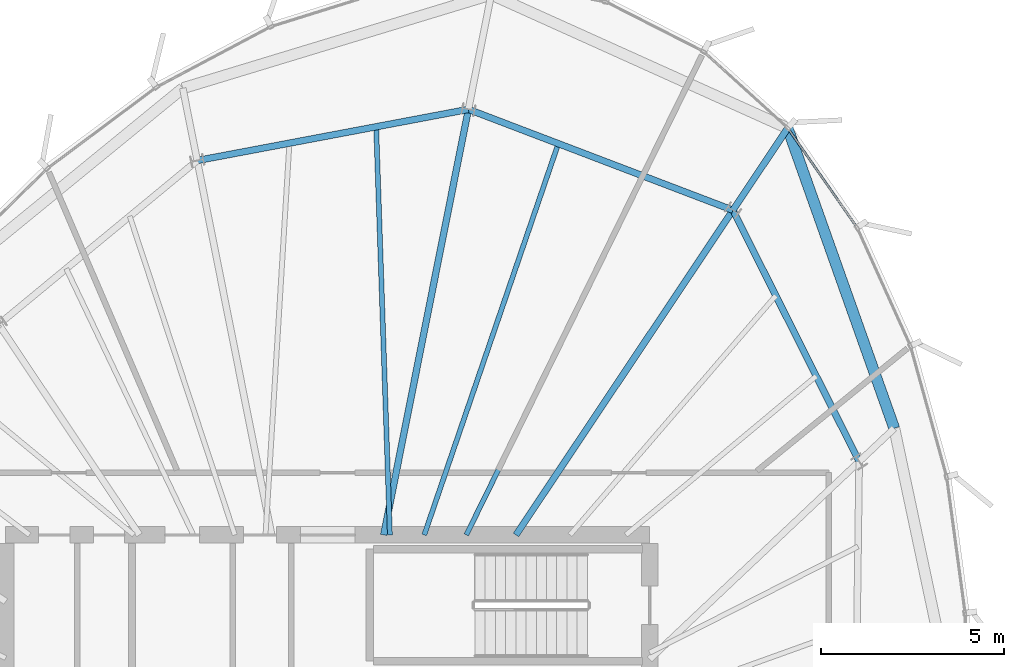
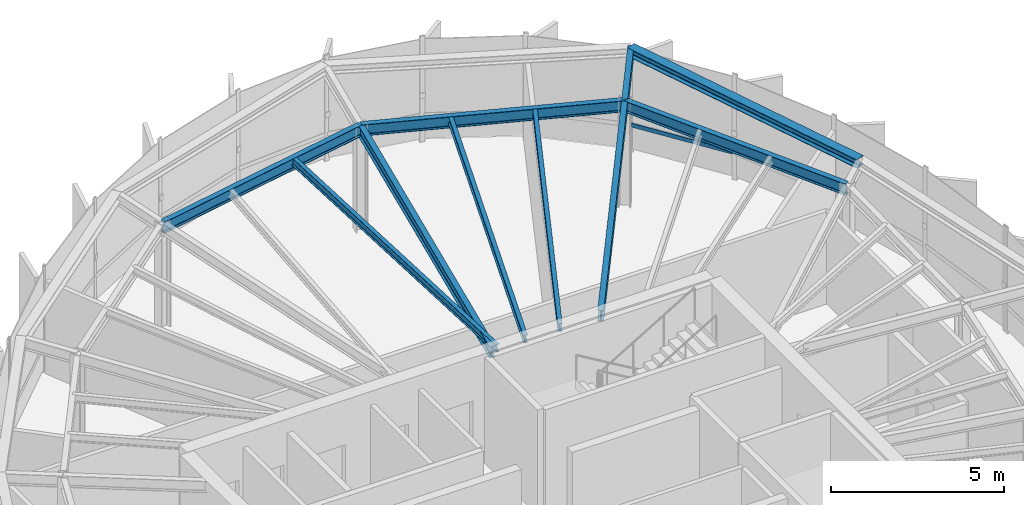
# One storey, part 16 of 26: 10 beams, 1 member, 1 element without a shape of its own.
"""IFC4 building model written with IfcOpenShell, lengths in metres."""

from ifc_helpers import new_model, si_unit, direction, frame, origin, origin_2d, place, context, subcontext, project, spatial, hollow_rectangle, i_section, extrude, source, transform, mapped, material, layer, layer_set, material_profile, profile_set, type_object, element, aggregate, save


model = new_model("IFC4")

# Units and contexts
model_context = context("Model", 3, precision=1e-05, world=origin(), true_north=direction((0.0, 1.0)))
body_context = subcontext(model_context, "Body", "Model", "MODEL_VIEW")
ifc_project = project(units=[si_unit("LENGTHUNIT", "METRE"), si_unit("AREAUNIT", "SQUARE_METRE"), si_unit("VOLUMEUNIT", "CUBIC_METRE"), si_unit("PLANEANGLEUNIT", "RADIAN"), si_unit("MASSUNIT", "GRAM", prefix="KILO"), si_unit("THERMODYNAMICTEMPERATUREUNIT", "KELVIN")], contexts=[model_context])

# Site, building, storey
site_placement = place(None, origin())
site = spatial("IfcSite", under=ifc_project, at=site_placement, CompositionType="ELEMENT")
building_placement = place(site_placement, origin())
building = spatial("IfcBuilding", under=site, at=building_placement, Name="Kethvar Cultural Tower", CompositionType="ELEMENT")
storey_placement = place(building_placement, frame((0.0, 0.0, 320.300048828125)))
storey = spatial("IfcBuildingStorey", under=building, at=storey_placement, Name="L85", CompositionType="ELEMENT", Elevation=320.300048828125)

# Beams
ifc_material_1 = material(Name="Steel S355J2", Category="steel")
ifc_material_profile_1 = material_profile(ifc_material_1, i_section(OverallWidth=0.135009765625, OverallDepth=0.27001953125, WebThickness=0.006591796875, FlangeThickness=0.01025390625, FilletRadius=0.014892578125, at=origin_2d()), Name="Steel S355J2 — IPE270")
ifc_profile_set_1 = profile_set([ifc_material_profile_1], Name="Steel S355J2 — IPE270")
beam_type_1 = type_object("IfcBeamType", Name="BM-J270", PredefinedType="JOIST", material=ifc_profile_set_1)
shared_shape_1 = source(origin(), body_context, "Body", "SweptSolid", [
    extrude(i_section(OverallWidth=0.135009765625, OverallDepth=0.27001953125, WebThickness=0.006591796875, FlangeThickness=0.01025390625, FilletRadius=0.014892578125, at=origin_2d()), origin(), (0.0, 0.0, 1.0), 10.935791015625),
])
beam_1_placement = place(storey_placement, frame((50.5888671875, 35.5, 3.597900390625), z_axis=(0.441498236677, 0.897262117227, 0.0), x_axis=(-0.897262117227, 0.441498236677, 0.0)))
element("IfcBeam", 1, at=beam_1_placement, inside=storey, type_object=beam_type_1, Name="L85 Composite Floor Joist J-03A", PredefinedType="JOIST", context=body_context, shape_type="MappedRepresentation", body=[
    mapped(shared_shape_1, transform((0.0, 0.0, 0.0), scale=1.0)),
])
shared_shape_2 = source(origin(), body_context, "Body", "SweptSolid", [
    extrude(i_section(OverallWidth=0.135009765625, OverallDepth=0.27001953125, WebThickness=0.006591796875, FlangeThickness=0.01025390625, FilletRadius=0.014892578125, at=origin_2d()), origin(), (0.0, 0.0, 1.0), 11.304931640625),
])
beam_2_placement = place(storey_placement, frame((49.438720703125, 35.5, 3.597900390625), z_axis=(0.324179110764, 0.945995720997, 0.0), x_axis=(-0.945995720997, 0.324179110764, 0.0)))
element("IfcBeam", 2, at=beam_2_placement, inside=storey, type_object=beam_type_1, Name="L85 Composite Floor Joist J-03B", PredefinedType="JOIST", context=body_context, shape_type="MappedRepresentation", body=[
    mapped(shared_shape_2, transform((0.0, 0.0, 0.0), scale=1.0)),
])
shared_shape_3 = source(origin(), body_context, "Body", "SweptSolid", [
    extrude(i_section(OverallWidth=0.135009765625, OverallDepth=0.27001953125, WebThickness=0.006591796875, FlangeThickness=0.01025390625, FilletRadius=0.014892578125, at=origin_2d()), origin(), (0.0, 0.0, 1.0), 11.162109375),
])
beam_3_placement = place(storey_placement, frame((48.5, 35.5, 3.597900390625), z_axis=(-0.0335959409, 0.999435497046, 0.0), x_axis=(-0.999435497046, -0.0335959409, 0.0)))
element("IfcBeam", 3, at=beam_3_placement, inside=storey, type_object=beam_type_1, Name="L85 Composite Floor Joist J-04A", PredefinedType="JOIST", context=body_context, shape_type="MappedRepresentation", body=[
    mapped(shared_shape_3, transform((0.0, 0.0, 0.0), scale=1.0)),
])
ifc_material_profile_2 = material_profile(ifc_material_1, i_section(OverallWidth=0.179931640625, OverallDepth=0.39990234375, WebThickness=0.008544921875, FlangeThickness=0.013427734375, FilletRadius=0.02099609375, at=origin_2d()), Name="Steel S355J2 — IPE400")
ifc_profile_set_2 = profile_set([ifc_material_profile_2], Name="Steel S355J2 — IPE400")
beam_type_2 = type_object("IfcBeamType", Name="BM-IPE400", PredefinedType="BEAM", material=ifc_profile_set_2)
shared_shape_4 = source(origin(), body_context, "Body", "SweptSolid", [
    extrude(i_section(OverallWidth=0.179931640625, OverallDepth=0.39990234375, WebThickness=0.008544921875, FlangeThickness=0.013427734375, FilletRadius=0.02099609375, at=origin_2d()), origin(), (0.0, 0.0, 1.0), 10.673828125),
])
beam_4_placement = place(storey_placement, frame((51.945068359375, 35.5, 3.532958984375), z_axis=(0.555576086183, 0.831465701314, 0.0), x_axis=(-0.831465701314, 0.555576086183, 0.0)))
element("IfcBeam", 4, at=beam_4_placement, inside=storey, type_object=beam_type_2, Name="L85 Primary Radial Beam RB-03", PredefinedType="BEAM", context=body_context, shape_type="MappedRepresentation", body=[
    mapped(shared_shape_4, transform((0.0, 0.0, 0.0), scale=1.0)),
])
shared_shape_5 = source(origin(), body_context, "Body", "SweptSolid", [
    extrude(i_section(OverallWidth=0.179931640625, OverallDepth=0.39990234375, WebThickness=0.008544921875, FlangeThickness=0.013427734375, FilletRadius=0.02099609375, at=origin_2d()), origin(), (0.0, 0.0, 1.0), 11.859375),
])
beam_5_placement = place(storey_placement, frame((48.33154296875, 35.5, 3.532958984375), z_axis=(0.195094640585, 0.980784421377, 0.0), x_axis=(-0.980784421377, 0.195094640585, 0.0)))
element("IfcBeam", 5, at=beam_5_placement, inside=storey, type_object=beam_type_2, Name="L85 Primary Radial Beam RB-04", PredefinedType="BEAM", context=body_context, shape_type="MappedRepresentation", body=[
    mapped(shared_shape_5, transform((0.0, 0.0, 0.0), scale=1.0)),
])
shared_shape_6 = source(origin(), body_context, "Body", "SweptSolid", [
    extrude(i_section(OverallWidth=0.179931640625, OverallDepth=0.39990234375, WebThickness=0.008544921875, FlangeThickness=0.013427734375, FilletRadius=0.02099609375, at=origin_2d()), origin(), (0.0, 0.0, 1.0), 7.68701171875),
])
beam_6_placement = place(storey_placement, frame((61.32568359375, 37.505859375, 3.532958984375), z_axis=(-0.448864354142, 0.893599905763, 0.0), x_axis=(-0.893599905763, -0.448864354142, 0.0)))
element("IfcBeam", 6, at=beam_6_placement, inside=storey, type_object=beam_type_2, Name="L85 Column Ring Tie Beam CR-02", PredefinedType="BEAM", context=body_context, shape_type="MappedRepresentation", body=[
    mapped(shared_shape_6, transform((0.0, 0.0, 0.0), scale=1.0)),
])
shared_shape_7 = source(origin(), body_context, "Body", "SweptSolid", [
    extrude(i_section(OverallWidth=0.179931640625, OverallDepth=0.39990234375, WebThickness=0.008544921875, FlangeThickness=0.013427734375, FilletRadius=0.02099609375, at=origin_2d()), origin(), (0.0, 0.0, 1.0), 7.737548828125),
])
beam_7_placement = place(storey_placement, frame((57.875244140625, 44.375, 3.532958984375), z_axis=(-0.934388230776, 0.356256416347, 0.0), x_axis=(-0.356256416347, -0.934388230776, 0.0)))
element("IfcBeam", 7, at=beam_7_placement, inside=storey, type_object=beam_type_2, Name="L85 Column Ring Tie Beam CR-03", PredefinedType="BEAM", context=body_context, shape_type="MappedRepresentation", body=[
    mapped(shared_shape_7, transform((0.0, 0.0, 0.0), scale=1.0)),
])
shared_shape_8 = source(origin(), body_context, "Body", "SweptSolid", [
    extrude(i_section(OverallWidth=0.179931640625, OverallDepth=0.39990234375, WebThickness=0.008544921875, FlangeThickness=0.013427734375, FilletRadius=0.02099609375, at=origin_2d()), origin(), (0.0, 0.0, 1.0), 7.543212890625),
])
beam_8_placement = place(storey_placement, frame((50.645263671875, 47.131591796875, 3.532958984375), z_axis=(-0.982646853086, -0.185486285532, 0.0), x_axis=(0.185486285532, -0.982646853086, 0.0)))
element("IfcBeam", 8, at=beam_8_placement, inside=storey, type_object=beam_type_2, Name="L85 Column Ring Tie Beam CR-04", PredefinedType="BEAM", context=body_context, shape_type="MappedRepresentation", body=[
    mapped(shared_shape_8, transform((0.0, 0.0, 0.0), scale=1.0)),
])
shared_shape_9 = source(origin(), body_context, "Body", "SweptSolid", [
    extrude(i_section(OverallWidth=0.179931640625, OverallDepth=0.39990234375, WebThickness=0.008544921875, FlangeThickness=0.013427734375, FilletRadius=0.02099609375, at=origin_2d()), origin(), (0.0, 0.0, 1.0), 2.6943359375),
])
beam_9_placement = place(storey_placement, frame((57.875244140625, 44.375, 3.532958984375), z_axis=(0.555557253949, 0.831478284494, 0.0), x_axis=(-0.831478284494, 0.555557253949, 0.0)))
element("IfcBeam", 9, at=beam_9_placement, inside=storey, type_object=beam_type_2, Name="L85 Perimeter Cantilever Beam RC-03", PredefinedType="BEAM", context=body_context, shape_type="MappedRepresentation", body=[
    mapped(shared_shape_9, transform((0.0, 0.0, 0.0), scale=1.0)),
])
ifc_material_profile_3 = material_profile(ifc_material_1, i_section(OverallWidth=0.300048828125, OverallDepth=0.300048828125, WebThickness=0.010986328125, FlangeThickness=0.01904296875, FilletRadius=0.027099609375, at=origin_2d()), Name="Steel S355J2 — HEB300")
ifc_profile_set_3 = profile_set([ifc_material_profile_3], Name="Steel S355J2 — HEB300")
beam_type_3 = type_object("IfcBeamType", Name="BM-SP300", PredefinedType="SPANDREL", material=ifc_profile_set_3)
shared_shape_10 = source(origin(), body_context, "Body", "SweptSolid", [
    extrude(i_section(OverallWidth=0.300048828125, OverallDepth=0.300048828125, WebThickness=0.010986328125, FlangeThickness=0.01904296875, FilletRadius=0.027099609375, at=origin_2d()), origin(), (0.0, 0.0, 1.0), 8.705322265625),
])
beam_10_placement = place(storey_placement, frame((62.285400390625, 38.411865234375, 3.5830078125), z_axis=(-0.334660527303, 0.942338756215, 0.0), x_axis=(-0.942338756215, -0.334660527303, 0.0)))
element("IfcBeam", 10, at=beam_10_placement, inside=storey, type_object=beam_type_3, Name="L85 Perimeter Spandrel Beam SP-02", PredefinedType="SPANDREL", context=body_context, shape_type="MappedRepresentation", body=[
    mapped(shared_shape_10, transform((0.0, 0.0, 0.0), scale=1.0)),
])

# Curtain wall, member
ifc_material_2 = material(Name="Aluminium 6063-T6", Category="aluminium")
ifc_layer = layer(ifc_material_2, 0.179931640625, Name="Aluminium 6063-T6", Category="aluminium")
ifc_layer_set = layer_set([ifc_layer], Name="Aluminium 6063-T6 (180 mm)")
curtain_wall_type = type_object("IfcCurtainWallType", Name="CW-SYS-06-CROWN", PredefinedType="NOTDEFINED", material=ifc_layer_set)
curtain_wall_placement = place(storey_placement, origin())
curtain_wall = element("IfcCurtainWall", 11, at=curtain_wall_placement, inside=storey, type_object=curtain_wall_type, Name="L85 Curtain Wall Run 06", PredefinedType="NOTDEFINED")
ifc_material_profile_4 = material_profile(ifc_material_2, hollow_rectangle(XDim=0.06005859375, YDim=0.139892578125, WallThickness=0.0048828125, at=origin_2d()), Name="Aluminium 6063-T6 — RHS140x60x5")
ifc_profile_set_4 = profile_set([ifc_material_profile_4], Name="Aluminium 6063-T6 — RHS140x60x5")
member_type = type_object("IfcMemberType", Name="CW-SYS-06-CROWN-TRN", PredefinedType="USERDEFINED", material=ifc_profile_set_4)
shared_shape_11 = source(origin(), body_context, "Body", "SweptSolid", [
    extrude(hollow_rectangle(XDim=0.06005859375, YDim=0.139892578125, WallThickness=0.0048828125, at=origin_2d()), origin(), (0.0, 0.0, 1.0), 3.25439453125),
])
member_placement = place(storey_placement, frame((61.24462890625, 43.936279296875, 0.949951171875), z_axis=(-0.571739106779, 0.820435490321, 0.0), x_axis=(-0.820435490321, -0.571739106779, 0.0)))
member = element("IfcMember", 12, at=member_placement, type_object=member_type, Name="CW-L85-R06 Transom 4", ObjectType="TRANSOM", PredefinedType="USERDEFINED", context=body_context, shape_type="MappedRepresentation", body=[
    mapped(shared_shape_11, transform((0.0, 0.0, 0.0), scale=1.0)),
])
aggregate(curtain_wall, [member])

save(model, "model.ifc")
